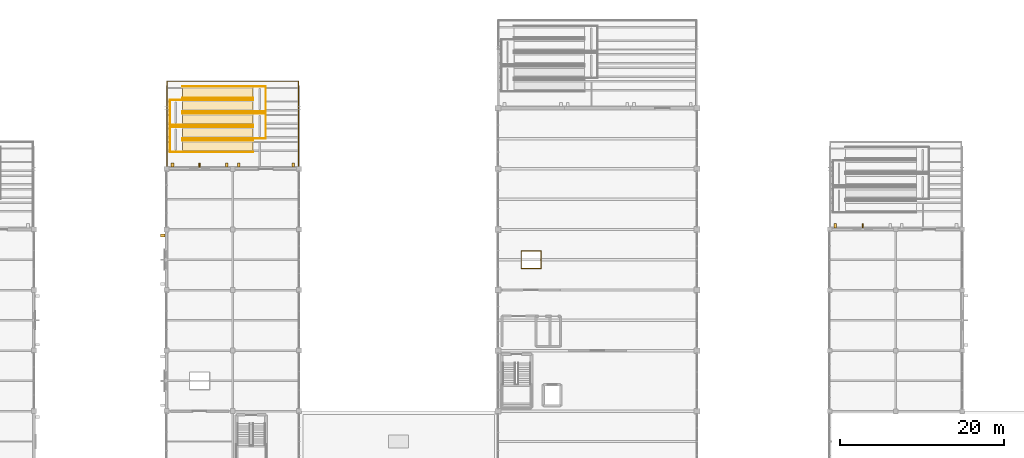
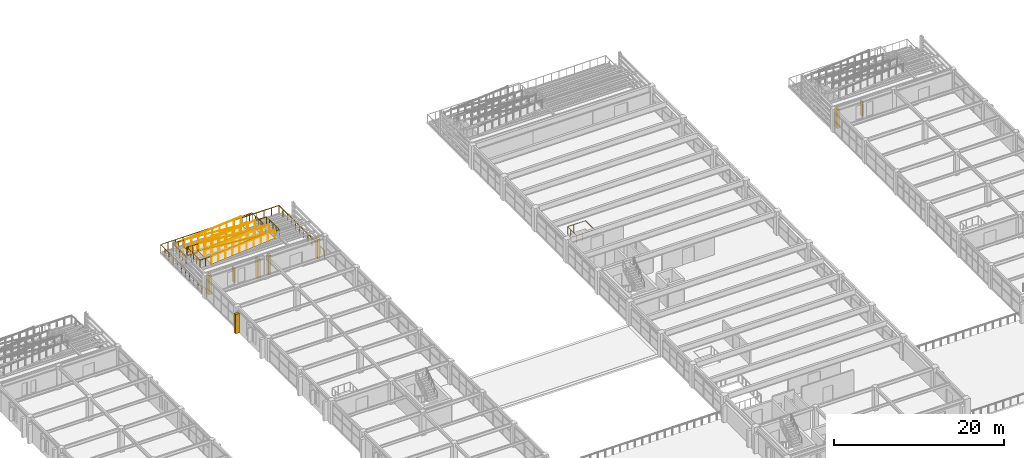
# One storey, part 117 of 121: 16 railings, 8 shading devices, 5 coverings.
"""IFC4 building model written with IfcOpenShell, lengths in metres."""

from ifc_helpers import new_model, si_unit, direction, frame, origin, origin_2d, place, context, subcontext, project, spatial, polyline, rectangle, circle, outline, extrude, material, layer, layer_set, type_object, element, save


model = new_model("IFC4")

# Units and contexts
model_context = context("Model", 3, precision=1e-05, world=origin(), true_north=direction((0.0, 1.0)))
body_context = subcontext(model_context, "Body", "Model", "MODEL_VIEW")
ifc_project = project(units=[si_unit("LENGTHUNIT", "METRE"), si_unit("AREAUNIT", "SQUARE_METRE"), si_unit("VOLUMEUNIT", "CUBIC_METRE"), si_unit("PLANEANGLEUNIT", "RADIAN"), si_unit("MASSUNIT", "GRAM", prefix="KILO")], contexts=[model_context])

# Site, building, storey
site_placement = place(None, origin())
site = spatial("IfcSite", under=ifc_project, at=site_placement, CompositionType="ELEMENT")
building_placement = place(site_placement, origin())
building = spatial("IfcBuilding", under=site, at=building_placement, Name="Cimatlan Art Gallery", CompositionType="ELEMENT")
storey_placement = place(building_placement, frame((0.0, 0.0, 10.199951171875)))
storey = spatial("IfcBuildingStorey", under=building, at=storey_placement, Name="L02", CompositionType="ELEMENT", Elevation=10.199951171875)

# Coverings
ifc_material_1 = material(Name="Queretaro cantera limestone ashlar hood-mould", Category="masonry")
ifc_layer = layer(ifc_material_1, 0.0419921875)
ifc_layer_set = layer_set([ifc_layer], Name="Queretaro cantera limestone ashlar hood-mould")
covering_type = type_object("IfcCoveringType", Name="COV-CLAD-CANTERA-42", PredefinedType="CLADDING", material=ifc_layer_set)
for number, where, z_axis, x_axis, name in (
    (1, (36.35009765625, 99.10009765625, 0.0), (-0.08304314939, 0.0, 0.996545952447), (0.996545952447, 0.0, 0.08304314939), "COV-RMP-TER-B2-FL1"),
    (2, (36.35009765625, 97.449951171875, 1.43994140625), (0.08304314939, 0.0, 0.996545952447), (0.996545952447, 0.0, -0.08304314939), "COV-RMP-TER-B2-FL2"),
):
    element("IfcCovering", number, at=place(storey_placement, frame(where, z_axis=z_axis, x_axis=x_axis)), inside=storey, type_object=covering_type, Name=name, PredefinedType="CLADDING", context=body_context, shape_type="SweptSolid", body=[
        extrude(outline(polyline([(0.0, 0.0), (8.669838612967244, 0.0), (8.669838612967244, 1.5000000000000004), (0.0, 1.5000000000000004), (0.0, 0.0)])), origin(), (0.0, 0.0, -1.0), 0.02490234375),
    ])
covering_placement = place(storey_placement, frame((36.35009765625, 95.800048828125, 1.43994140625), z_axis=(-0.083071114863, 0.0, 0.996543621662), x_axis=(0.996543621662, 0.0, 0.083071114863)))
element("IfcCovering", 3, at=covering_placement, inside=storey, type_object=covering_type, Name="COV-RMP-TER-B2-FL3", PredefinedType="CLADDING", context=body_context, shape_type="SweptSolid", body=[
    extrude(outline(polyline([(0.0, 0.0), (8.669858890587395, 0.0), (8.669858890587395, 1.4999999999999998), (0.0, 1.4999999999999998), (0.0, 0.0)])), origin(), (0.0, 0.0, -1.0), 0.02490234375),
])
for number, where, z_axis, x_axis, name in (
    (4, (36.35009765625, 94.14990234375, 2.880126953125), (0.08304314939, 0.0, 0.996545952447), (0.996545952447, 0.0, -0.08304314939), "COV-RMP-TER-B2-FL4"),
    (5, (36.35009765625, 92.5, 2.880126953125), (-0.08304314939, 0.0, 0.996545952447), (0.996545952447, 0.0, 0.08304314939), "COV-RMP-TER-B2-FL5"),
):
    element("IfcCovering", number, at=place(storey_placement, frame(where, z_axis=z_axis, x_axis=x_axis)), inside=storey, type_object=covering_type, Name=name, PredefinedType="CLADDING", context=body_context, shape_type="SweptSolid", body=[
        extrude(outline(polyline([(0.0, 0.0), (8.669838612967244, 0.0), (8.669838612967244, 1.5000000000000004), (0.0, 1.5000000000000004), (0.0, 0.0)])), origin(), (0.0, 0.0, -1.0), 0.02490234375),
    ])

# Railings
ifc_material_2 = material(Name="Anodised bronze and laminated glass balustrade", Category="glass")
railing_type_1 = type_object("IfcRailingType", Name="RL-BAL-EXT-1100", PredefinedType="BALUSTRADE", material=ifc_material_2)
for number, where, name in (
    (6, (36.35009765625, 99.14990234375, 0.0), "RMP-TER-B2-GR-F1S"),
    (7, (36.35009765625, 100.550048828125, 0.0), "RMP-TER-B2-GR-F1N"),
):
    element("IfcRailing", number, at=place(storey_placement, frame(where)), inside=storey, type_object=railing_type_1, Name=name, PredefinedType="BALUSTRADE", context=body_context, shape_type="SweptSolid", body=[
        extrude(circle(Radius=0.02587890625, at=origin_2d()), frame((0.0, 0.0, 1.09423828125), z_axis=(0.996545952447, 0.0, 0.08304314939), x_axis=(0.0, 1.0, 0.0)), (0.0, 0.0, 1.0), 8.669921875),
        extrude(circle(Radius=0.02099609375, at=origin_2d()), origin(), (0.0, 0.0, 1.0), 1.068115234375),
        extrude(circle(Radius=0.02099609375, at=origin_2d()), frame((0.9599609375, 0.0, 0.080078125)), (0.0, 0.0, 1.0), 1.068115234375),
        extrude(circle(Radius=0.02099609375, at=origin_2d()), frame((1.919921875, 0.0, 0.159912109375)), (0.0, 0.0, 1.0), 1.068115234375),
        extrude(circle(Radius=0.02099609375, at=origin_2d()), frame((2.8798828125, 0.0, 0.239990234375)), (0.0, 0.0, 1.0), 1.068115234375),
        extrude(circle(Radius=0.02099609375, at=origin_2d()), frame((3.83984375, 0.0, 0.320068359375)), (0.0, 0.0, 1.0), 1.068115234375),
        extrude(circle(Radius=0.02099609375, at=origin_2d()), frame((4.800048828125, 0.0, 0.39990234375)), (0.0, 0.0, 1.0), 1.068115234375),
        extrude(circle(Radius=0.02099609375, at=origin_2d()), frame((5.760009765625, 0.0, 0.47998046875)), (0.0, 0.0, 1.0), 1.068115234375),
        extrude(circle(Radius=0.02099609375, at=origin_2d()), frame((6.719970703125, 0.0, 0.56005859375)), (0.0, 0.0, 1.0), 1.068115234375),
        extrude(circle(Radius=0.02099609375, at=origin_2d()), frame((7.679931640625, 0.0, 0.639892578125)), (0.0, 0.0, 1.0), 1.068115234375),
        extrude(circle(Radius=0.02099609375, at=origin_2d()), frame((8.639892578125, 0.0, 0.719970703125)), (0.0, 0.0, 1.0), 1.068115234375),
    ])
railing_1_placement = place(storey_placement, frame((45.030029296875, 100.550048828125, 0.719970703125)))
element("IfcRailing", 8, at=railing_1_placement, inside=storey, type_object=railing_type_1, Name="RMP-TER-B2-GR-L1", PredefinedType="BALUSTRADE", context=body_context, shape_type="SweptSolid", body=[
    extrude(circle(Radius=0.02587890625, at=origin_2d()), frame((0.0, 0.0, 1.09423828125), z_axis=(1.0, 0.0, 0.0), x_axis=(0.0, 1.0, 0.0)), (0.0, 0.0, 1.0), 1.5),
    extrude(circle(Radius=0.02587890625, at=origin_2d()), frame((1.5, 0.0, 1.09423828125), z_axis=(0.0, -1.0, 0.0), x_axis=(1.0, 0.0, 0.0)), (0.0, 0.0, 1.0), 3.050048828125),
    extrude(circle(Radius=0.02587890625, at=origin_2d()), frame((1.5, -3.050048828125, 1.09423828125), z_axis=(-1.0, 0.0, 0.0), x_axis=(0.0, -1.0, 0.0)), (0.0, 0.0, 1.0), 1.5),
    extrude(circle(Radius=0.02099609375, at=origin_2d()), origin(), (0.0, 0.0, 1.0), 1.068115234375),
    extrude(circle(Radius=0.02099609375, at=origin_2d()), frame((0.75, 0.0, 0.0)), (0.0, 0.0, 1.0), 1.068115234375),
    extrude(circle(Radius=0.02099609375, at=origin_2d()), frame((1.5, 0.0, 0.0)), (0.0, 0.0, 1.0), 1.068115234375),
    extrude(circle(Radius=0.02099609375, at=origin_2d()), frame((1.5, -0.762451171875, 0.0)), (0.0, 0.0, 1.0), 1.068115234375),
    extrude(circle(Radius=0.02099609375, at=origin_2d()), frame((1.5, -1.52490234375, 0.0)), (0.0, 0.0, 1.0), 1.068115234375),
    extrude(circle(Radius=0.02099609375, at=origin_2d()), frame((1.5, -2.28759765625, 0.0)), (0.0, 0.0, 1.0), 1.068115234375),
    extrude(circle(Radius=0.02099609375, at=origin_2d()), frame((1.5, -3.050048828125, 0.0)), (0.0, 0.0, 1.0), 1.068115234375),
    extrude(circle(Radius=0.02099609375, at=origin_2d()), frame((0.75, -3.050048828125, 0.0)), (0.0, 0.0, 1.0), 1.068115234375),
    extrude(circle(Radius=0.02099609375, at=origin_2d()), frame((0.0, -3.050048828125, 0.0)), (0.0, 0.0, 1.0), 1.068115234375),
])
for number, where, name in (
    (9, (44.989990234375, 97.5, 0.719970703125), "RMP-TER-B2-GR-F2S"),
    (10, (44.989990234375, 98.89990234375, 0.719970703125), "RMP-TER-B2-GR-F2N"),
):
    element("IfcRailing", number, at=place(storey_placement, frame(where)), inside=storey, type_object=railing_type_1, Name=name, PredefinedType="BALUSTRADE", context=body_context, shape_type="SweptSolid", body=[
        extrude(circle(Radius=0.02587890625, at=origin_2d()), frame((0.0, 0.0, 1.09423828125), z_axis=(-0.996545952447, 0.0, 0.08304314939), x_axis=(0.0, -1.0, 0.0)), (0.0, 0.0, 1.0), 8.669921875),
        extrude(circle(Radius=0.02099609375, at=origin_2d()), origin(), (0.0, 0.0, 1.0), 1.068115234375),
        extrude(circle(Radius=0.02099609375, at=origin_2d()), frame((-0.9599609375, 0.0, 0.080078125)), (0.0, 0.0, 1.0), 1.068115234375),
        extrude(circle(Radius=0.02099609375, at=origin_2d()), frame((-1.919921875, 0.0, 0.159912109375)), (0.0, 0.0, 1.0), 1.068115234375),
        extrude(circle(Radius=0.02099609375, at=origin_2d()), frame((-2.8798828125, 0.0, 0.239990234375)), (0.0, 0.0, 1.0), 1.068115234375),
        extrude(circle(Radius=0.02099609375, at=origin_2d()), frame((-3.83984375, 0.0, 0.320068359375)), (0.0, 0.0, 1.0), 1.068115234375),
        extrude(circle(Radius=0.02099609375, at=origin_2d()), frame((-4.800048828125, 0.0, 0.39990234375)), (0.0, 0.0, 1.0), 1.068115234375),
        extrude(circle(Radius=0.02099609375, at=origin_2d()), frame((-5.760009765625, 0.0, 0.47998046875)), (0.0, 0.0, 1.0), 1.068115234375),
        extrude(circle(Radius=0.02099609375, at=origin_2d()), frame((-6.719970703125, 0.0, 0.56005859375)), (0.0, 0.0, 1.0), 1.068115234375),
        extrude(circle(Radius=0.02099609375, at=origin_2d()), frame((-7.679931640625, 0.0, 0.639892578125)), (0.0, 0.0, 1.0), 1.068115234375),
        extrude(circle(Radius=0.02099609375, at=origin_2d()), frame((-8.639892578125, 0.0, 0.719970703125)), (0.0, 0.0, 1.0), 1.068115234375),
    ])
railing_2_placement = place(storey_placement, frame((36.31005859375, 98.89990234375, 1.43994140625)))
element("IfcRailing", 11, at=railing_2_placement, inside=storey, type_object=railing_type_1, Name="RMP-TER-B2-GR-L2", PredefinedType="BALUSTRADE", context=body_context, shape_type="SweptSolid", body=[
    extrude(circle(Radius=0.02587890625, at=origin_2d()), frame((0.0, 0.0, 1.09423828125), z_axis=(-1.0, 0.0, 0.0), x_axis=(0.0, -1.0, 0.0)), (0.0, 0.0, 1.0), 1.5),
    extrude(circle(Radius=0.02587890625, at=origin_2d()), frame((-1.5, 0.0, 1.09423828125), z_axis=(0.0, -1.0, 0.0), x_axis=(1.0, 0.0, 0.0)), (0.0, 0.0, 1.0), 3.0498046875),
    extrude(circle(Radius=0.02587890625, at=origin_2d()), frame((-1.5, -3.0498046875, 1.09423828125), z_axis=(1.0, 0.0, 0.0), x_axis=(0.0, 1.0, 0.0)), (0.0, 0.0, 1.0), 1.5),
    extrude(circle(Radius=0.02099609375, at=origin_2d()), origin(), (0.0, 0.0, 1.0), 1.068115234375),
    extrude(circle(Radius=0.02099609375, at=origin_2d()), frame((-0.75, 0.0, 0.0)), (0.0, 0.0, 1.0), 1.068115234375),
    extrude(circle(Radius=0.02099609375, at=origin_2d()), frame((-1.5, 0.0, 0.0)), (0.0, 0.0, 1.0), 1.068115234375),
    extrude(circle(Radius=0.02099609375, at=origin_2d()), frame((-1.5, -0.762451171875, 0.0)), (0.0, 0.0, 1.0), 1.068115234375),
    extrude(circle(Radius=0.02099609375, at=origin_2d()), frame((-1.5, -1.52490234375, 0.0)), (0.0, 0.0, 1.0), 1.068115234375),
    extrude(circle(Radius=0.02099609375, at=origin_2d()), frame((-1.5, -2.287353515625, 0.0)), (0.0, 0.0, 1.0), 1.068115234375),
    extrude(circle(Radius=0.02099609375, at=origin_2d()), frame((-1.5, -3.0498046875, 0.0)), (0.0, 0.0, 1.0), 1.068115234375),
    extrude(circle(Radius=0.02099609375, at=origin_2d()), frame((-0.75, -3.0498046875, 0.0)), (0.0, 0.0, 1.0), 1.068115234375),
    extrude(circle(Radius=0.02099609375, at=origin_2d()), frame((0.0, -3.0498046875, 0.0)), (0.0, 0.0, 1.0), 1.068115234375),
])
for number, where, name in (
    (12, (36.35009765625, 95.85009765625, 1.43994140625), "RMP-TER-B2-GR-F3S"),
    (13, (36.35009765625, 97.25, 1.43994140625), "RMP-TER-B2-GR-F3N"),
):
    element("IfcRailing", number, at=place(storey_placement, frame(where)), inside=storey, type_object=railing_type_1, Name=name, PredefinedType="BALUSTRADE", context=body_context, shape_type="SweptSolid", body=[
        extrude(circle(Radius=0.02587890625, at=origin_2d()), frame((0.0, 0.0, 1.09423828125), z_axis=(0.996543621662, 0.0, 0.083071114863), x_axis=(0.0, 1.0, 0.0)), (0.0, 0.0, 1.0), 8.669921875),
        extrude(circle(Radius=0.02099609375, at=origin_2d()), origin(), (0.0, 0.0, 1.0), 1.068115234375),
        extrude(circle(Radius=0.02099609375, at=origin_2d()), frame((0.9599609375, 0.0, 0.080078125)), (0.0, 0.0, 1.0), 1.068115234375),
        extrude(circle(Radius=0.02099609375, at=origin_2d()), frame((1.919921875, 0.0, 0.16015625)), (0.0, 0.0, 1.0), 1.068115234375),
        extrude(circle(Radius=0.02099609375, at=origin_2d()), frame((2.8798828125, 0.0, 0.239990234375)), (0.0, 0.0, 1.0), 1.068115234375),
        extrude(circle(Radius=0.02099609375, at=origin_2d()), frame((3.83984375, 0.0, 0.320068359375)), (0.0, 0.0, 1.0), 1.068115234375),
        extrude(circle(Radius=0.02099609375, at=origin_2d()), frame((4.800048828125, 0.0, 0.400146484375)), (0.0, 0.0, 1.0), 1.068115234375),
        extrude(circle(Radius=0.02099609375, at=origin_2d()), frame((5.760009765625, 0.0, 0.480224609375)), (0.0, 0.0, 1.0), 1.068115234375),
        extrude(circle(Radius=0.02099609375, at=origin_2d()), frame((6.719970703125, 0.0, 0.56005859375)), (0.0, 0.0, 1.0), 1.068115234375),
        extrude(circle(Radius=0.02099609375, at=origin_2d()), frame((7.679931640625, 0.0, 0.64013671875)), (0.0, 0.0, 1.0), 1.068115234375),
        extrude(circle(Radius=0.02099609375, at=origin_2d()), frame((8.639892578125, 0.0, 0.72021484375)), (0.0, 0.0, 1.0), 1.068115234375),
    ])
railing_3_placement = place(storey_placement, frame((45.030029296875, 97.25, 2.16015625)))
element("IfcRailing", 14, at=railing_3_placement, inside=storey, type_object=railing_type_1, Name="RMP-TER-B2-GR-L3", PredefinedType="BALUSTRADE", context=body_context, shape_type="SweptSolid", body=[
    extrude(circle(Radius=0.02587890625, at=origin_2d()), frame((0.0, 0.0, 1.09423828125), z_axis=(1.0, 0.0, 0.0), x_axis=(0.0, 1.0, 0.0)), (0.0, 0.0, 1.0), 1.5),
    extrude(circle(Radius=0.02587890625, at=origin_2d()), frame((1.5, 0.0, 1.09423828125), z_axis=(0.0, -1.0, 0.0), x_axis=(1.0, 0.0, 0.0)), (0.0, 0.0, 1.0), 3.050048828125),
    extrude(circle(Radius=0.02587890625, at=origin_2d()), frame((1.5, -3.050048828125, 1.09423828125), z_axis=(-1.0, 0.0, 0.0), x_axis=(0.0, -1.0, 0.0)), (0.0, 0.0, 1.0), 1.5),
    extrude(circle(Radius=0.02099609375, at=origin_2d()), origin(), (0.0, 0.0, 1.0), 1.068115234375),
    extrude(circle(Radius=0.02099609375, at=origin_2d()), frame((0.75, 0.0, 0.0)), (0.0, 0.0, 1.0), 1.068115234375),
    extrude(circle(Radius=0.02099609375, at=origin_2d()), frame((1.5, 0.0, 0.0)), (0.0, 0.0, 1.0), 1.068115234375),
    extrude(circle(Radius=0.02099609375, at=origin_2d()), frame((1.5, -0.762451171875, 0.0)), (0.0, 0.0, 1.0), 1.068115234375),
    extrude(circle(Radius=0.02099609375, at=origin_2d()), frame((1.5, -1.52490234375, 0.0)), (0.0, 0.0, 1.0), 1.068115234375),
    extrude(circle(Radius=0.02099609375, at=origin_2d()), frame((1.5, -2.28759765625, 0.0)), (0.0, 0.0, 1.0), 1.068115234375),
    extrude(circle(Radius=0.02099609375, at=origin_2d()), frame((1.5, -3.050048828125, 0.0)), (0.0, 0.0, 1.0), 1.068115234375),
    extrude(circle(Radius=0.02099609375, at=origin_2d()), frame((0.75, -3.050048828125, 0.0)), (0.0, 0.0, 1.0), 1.068115234375),
    extrude(circle(Radius=0.02099609375, at=origin_2d()), frame((0.0, -3.050048828125, 0.0)), (0.0, 0.0, 1.0), 1.068115234375),
])
for number, where, name in (
    (15, (44.989990234375, 94.199951171875, 2.16015625), "RMP-TER-B2-GR-F4S"),
    (16, (44.989990234375, 95.60009765625, 2.16015625), "RMP-TER-B2-GR-F4N"),
):
    element("IfcRailing", number, at=place(storey_placement, frame(where)), inside=storey, type_object=railing_type_1, Name=name, PredefinedType="BALUSTRADE", context=body_context, shape_type="SweptSolid", body=[
        extrude(circle(Radius=0.02587890625, at=origin_2d()), frame((0.0, 0.0, 1.09423828125), z_axis=(-0.996545952447, 0.0, 0.08304314939), x_axis=(0.0, -1.0, 0.0)), (0.0, 0.0, 1.0), 8.669921875),
        extrude(circle(Radius=0.02099609375, at=origin_2d()), origin(), (0.0, 0.0, 1.0), 1.068115234375),
        extrude(circle(Radius=0.02099609375, at=origin_2d()), frame((-0.9599609375, 0.0, 0.080078125)), (0.0, 0.0, 1.0), 1.068115234375),
        extrude(circle(Radius=0.02099609375, at=origin_2d()), frame((-1.919921875, 0.0, 0.159912109375)), (0.0, 0.0, 1.0), 1.068115234375),
        extrude(circle(Radius=0.02099609375, at=origin_2d()), frame((-2.8798828125, 0.0, 0.239990234375)), (0.0, 0.0, 1.0), 1.068115234375),
        extrude(circle(Radius=0.02099609375, at=origin_2d()), frame((-3.83984375, 0.0, 0.320068359375)), (0.0, 0.0, 1.0), 1.068115234375),
        extrude(circle(Radius=0.02099609375, at=origin_2d()), frame((-4.800048828125, 0.0, 0.39990234375)), (0.0, 0.0, 1.0), 1.068115234375),
        extrude(circle(Radius=0.02099609375, at=origin_2d()), frame((-5.760009765625, 0.0, 0.47998046875)), (0.0, 0.0, 1.0), 1.068115234375),
        extrude(circle(Radius=0.02099609375, at=origin_2d()), frame((-6.719970703125, 0.0, 0.56005859375)), (0.0, 0.0, 1.0), 1.068115234375),
        extrude(circle(Radius=0.02099609375, at=origin_2d()), frame((-7.679931640625, 0.0, 0.639892578125)), (0.0, 0.0, 1.0), 1.068115234375),
        extrude(circle(Radius=0.02099609375, at=origin_2d()), frame((-8.639892578125, 0.0, 0.719970703125)), (0.0, 0.0, 1.0), 1.068115234375),
    ])
railing_4_placement = place(storey_placement, frame((36.31005859375, 95.60009765625, 2.880126953125)))
element("IfcRailing", 17, at=railing_4_placement, inside=storey, type_object=railing_type_1, Name="RMP-TER-B2-GR-L4", PredefinedType="BALUSTRADE", context=body_context, shape_type="SweptSolid", body=[
    extrude(circle(Radius=0.02587890625, at=origin_2d()), frame((0.0, 0.0, 1.09423828125), z_axis=(-1.0, 0.0, 0.0), x_axis=(0.0, -1.0, 0.0)), (0.0, 0.0, 1.0), 1.5),
    extrude(circle(Radius=0.02587890625, at=origin_2d()), frame((-1.5, 0.0, 1.09423828125), z_axis=(0.0, -1.0, 0.0), x_axis=(1.0, 0.0, 0.0)), (0.0, 0.0, 1.0), 3.050048828125),
    extrude(circle(Radius=0.02587890625, at=origin_2d()), frame((-1.5, -3.050048828125, 1.09423828125), z_axis=(1.0, 0.0, 0.0), x_axis=(0.0, 1.0, 0.0)), (0.0, 0.0, 1.0), 1.5),
    extrude(circle(Radius=0.02099609375, at=origin_2d()), origin(), (0.0, 0.0, 1.0), 1.068115234375),
    extrude(circle(Radius=0.02099609375, at=origin_2d()), frame((-0.75, 0.0, 0.0)), (0.0, 0.0, 1.0), 1.068115234375),
    extrude(circle(Radius=0.02099609375, at=origin_2d()), frame((-1.5, 0.0, 0.0)), (0.0, 0.0, 1.0), 1.068115234375),
    extrude(circle(Radius=0.02099609375, at=origin_2d()), frame((-1.5, -0.762451171875, 0.0)), (0.0, 0.0, 1.0), 1.068115234375),
    extrude(circle(Radius=0.02099609375, at=origin_2d()), frame((-1.5, -1.52490234375, 0.0)), (0.0, 0.0, 1.0), 1.068115234375),
    extrude(circle(Radius=0.02099609375, at=origin_2d()), frame((-1.5, -2.28759765625, 0.0)), (0.0, 0.0, 1.0), 1.068115234375),
    extrude(circle(Radius=0.02099609375, at=origin_2d()), frame((-1.5, -3.050048828125, 0.0)), (0.0, 0.0, 1.0), 1.068115234375),
    extrude(circle(Radius=0.02099609375, at=origin_2d()), frame((-0.75, -3.050048828125, 0.0)), (0.0, 0.0, 1.0), 1.068115234375),
    extrude(circle(Radius=0.02099609375, at=origin_2d()), frame((0.0, -3.050048828125, 0.0)), (0.0, 0.0, 1.0), 1.068115234375),
])
for number, where, name in (
    (18, (36.35009765625, 92.550048828125, 2.880126953125), "RMP-TER-B2-GR-F5S"),
    (19, (36.35009765625, 93.949951171875, 2.880126953125), "RMP-TER-B2-GR-F5N"),
):
    element("IfcRailing", number, at=place(storey_placement, frame(where)), inside=storey, type_object=railing_type_1, Name=name, PredefinedType="BALUSTRADE", context=body_context, shape_type="SweptSolid", body=[
        extrude(circle(Radius=0.02587890625, at=origin_2d()), frame((0.0, 0.0, 1.09423828125), z_axis=(0.996545952447, 0.0, 0.08304314939), x_axis=(0.0, 1.0, 0.0)), (0.0, 0.0, 1.0), 8.669921875),
        extrude(circle(Radius=0.02099609375, at=origin_2d()), origin(), (0.0, 0.0, 1.0), 1.068115234375),
        extrude(circle(Radius=0.02099609375, at=origin_2d()), frame((0.9599609375, 0.0, 0.080078125)), (0.0, 0.0, 1.0), 1.068115234375),
        extrude(circle(Radius=0.02099609375, at=origin_2d()), frame((1.919921875, 0.0, 0.159912109375)), (0.0, 0.0, 1.0), 1.068115234375),
        extrude(circle(Radius=0.02099609375, at=origin_2d()), frame((2.8798828125, 0.0, 0.239990234375)), (0.0, 0.0, 1.0), 1.068115234375),
        extrude(circle(Radius=0.02099609375, at=origin_2d()), frame((3.83984375, 0.0, 0.320068359375)), (0.0, 0.0, 1.0), 1.068115234375),
        extrude(circle(Radius=0.02099609375, at=origin_2d()), frame((4.800048828125, 0.0, 0.39990234375)), (0.0, 0.0, 1.0), 1.068115234375),
        extrude(circle(Radius=0.02099609375, at=origin_2d()), frame((5.760009765625, 0.0, 0.47998046875)), (0.0, 0.0, 1.0), 1.068115234375),
        extrude(circle(Radius=0.02099609375, at=origin_2d()), frame((6.719970703125, 0.0, 0.56005859375)), (0.0, 0.0, 1.0), 1.068115234375),
        extrude(circle(Radius=0.02099609375, at=origin_2d()), frame((7.679931640625, 0.0, 0.639892578125)), (0.0, 0.0, 1.0), 1.068115234375),
        extrude(circle(Radius=0.02099609375, at=origin_2d()), frame((8.639892578125, 0.0, 0.719970703125)), (0.0, 0.0, 1.0), 1.068115234375),
    ])
railing_5_placement = place(storey_placement, frame((34.47998046875, 90.52001953125, 0.0)))
element("IfcRailing", 20, at=railing_5_placement, inside=storey, type_object=railing_type_1, Name="GR-TER-02", PredefinedType="BALUSTRADE", context=body_context, shape_type="SweptSolid", body=[
    extrude(circle(Radius=0.02587890625, at=origin_2d()), frame((0.0, 0.0, 1.09423828125), z_axis=(0.0, 1.0, 0.0), x_axis=(-1.0, 0.0, 0.0)), (0.0, 0.0, 1.0), 10.68212890625),
    extrude(circle(Radius=0.02587890625, at=origin_2d()), frame((0.0, 10.68212890625, 1.09423828125), z_axis=(1.0, 0.0, 0.0), x_axis=(0.0, 1.0, 0.0)), (0.0, 0.0, 1.0), 16.0400390625),
    extrude(circle(Radius=0.02587890625, at=origin_2d()), frame((16.0400390625, 10.68212890625, 1.09423828125), z_axis=(0.0, -1.0, 0.0), x_axis=(1.0, 0.0, 0.0)), (0.0, 0.0, 1.0), 10.68212890625),
    extrude(circle(Radius=0.02099609375, at=origin_2d()), origin(), (0.0, 0.0, 1.0), 1.068115234375),
    extrude(circle(Radius=0.02099609375, at=origin_2d()), frame((0.0, 0.97119140625, 0.0)), (0.0, 0.0, 1.0), 1.068115234375),
    extrude(circle(Radius=0.02099609375, at=origin_2d()), frame((0.0, 1.942138671875, 0.0)), (0.0, 0.0, 1.0), 1.068115234375),
    extrude(circle(Radius=0.02099609375, at=origin_2d()), frame((0.0, 2.913330078125, 0.0)), (0.0, 0.0, 1.0), 1.068115234375),
    extrude(circle(Radius=0.02099609375, at=origin_2d()), frame((0.0, 3.884521484375, 0.0)), (0.0, 0.0, 1.0), 1.068115234375),
    extrude(circle(Radius=0.02099609375, at=origin_2d()), frame((0.0, 4.85546875, 0.0)), (0.0, 0.0, 1.0), 1.068115234375),
    extrude(circle(Radius=0.02099609375, at=origin_2d()), frame((0.0, 5.82666015625, 0.0)), (0.0, 0.0, 1.0), 1.068115234375),
    extrude(circle(Radius=0.02099609375, at=origin_2d()), frame((0.0, 6.797607421875, 0.0)), (0.0, 0.0, 1.0), 1.068115234375),
    extrude(circle(Radius=0.02099609375, at=origin_2d()), frame((0.0, 7.768798828125, 0.0)), (0.0, 0.0, 1.0), 1.068115234375),
    extrude(circle(Radius=0.02099609375, at=origin_2d()), frame((0.0, 8.739990234375, 0.0)), (0.0, 0.0, 1.0), 1.068115234375),
    extrude(circle(Radius=0.02099609375, at=origin_2d()), frame((0.0, 9.7109375, 0.0)), (0.0, 0.0, 1.0), 1.068115234375),
    extrude(circle(Radius=0.02099609375, at=origin_2d()), frame((0.0, 10.68212890625, 0.0)), (0.0, 0.0, 1.0), 1.068115234375),
    extrude(circle(Radius=0.02099609375, at=origin_2d()), frame((1.00244140625, 10.68212890625, 0.0)), (0.0, 0.0, 1.0), 1.068115234375),
    extrude(circle(Radius=0.02099609375, at=origin_2d()), frame((2.0048828125, 10.68212890625, 0.0)), (0.0, 0.0, 1.0), 1.068115234375),
    extrude(circle(Radius=0.02099609375, at=origin_2d()), frame((3.007568359375, 10.68212890625, 0.0)), (0.0, 0.0, 1.0), 1.068115234375),
    extrude(circle(Radius=0.02099609375, at=origin_2d()), frame((4.010009765625, 10.68212890625, 0.0)), (0.0, 0.0, 1.0), 1.068115234375),
    extrude(circle(Radius=0.02099609375, at=origin_2d()), frame((5.012451171875, 10.68212890625, 0.0)), (0.0, 0.0, 1.0), 1.068115234375),
    extrude(circle(Radius=0.02099609375, at=origin_2d()), frame((6.01513671875, 10.68212890625, 0.0)), (0.0, 0.0, 1.0), 1.068115234375),
    extrude(circle(Radius=0.02099609375, at=origin_2d()), frame((7.017578125, 10.68212890625, 0.0)), (0.0, 0.0, 1.0), 1.068115234375),
    extrude(circle(Radius=0.02099609375, at=origin_2d()), frame((8.02001953125, 10.68212890625, 0.0)), (0.0, 0.0, 1.0), 1.068115234375),
    extrude(circle(Radius=0.02099609375, at=origin_2d()), frame((9.0224609375, 10.68212890625, 0.0)), (0.0, 0.0, 1.0), 1.068115234375),
    extrude(circle(Radius=0.02099609375, at=origin_2d()), frame((10.02490234375, 10.68212890625, 0.0)), (0.0, 0.0, 1.0), 1.068115234375),
    extrude(circle(Radius=0.02099609375, at=origin_2d()), frame((11.027587890625, 10.68212890625, 0.0)), (0.0, 0.0, 1.0), 1.068115234375),
    extrude(circle(Radius=0.02099609375, at=origin_2d()), frame((12.030029296875, 10.68212890625, 0.0)), (0.0, 0.0, 1.0), 1.068115234375),
    extrude(circle(Radius=0.02099609375, at=origin_2d()), frame((13.032470703125, 10.68212890625, 0.0)), (0.0, 0.0, 1.0), 1.068115234375),
    extrude(circle(Radius=0.02099609375, at=origin_2d()), frame((14.03515625, 10.68212890625, 0.0)), (0.0, 0.0, 1.0), 1.068115234375),
    extrude(circle(Radius=0.02099609375, at=origin_2d()), frame((15.03759765625, 10.68212890625, 0.0)), (0.0, 0.0, 1.0), 1.068115234375),
    extrude(circle(Radius=0.02099609375, at=origin_2d()), frame((16.0400390625, 10.68212890625, 0.0)), (0.0, 0.0, 1.0), 1.068115234375),
    extrude(circle(Radius=0.02099609375, at=origin_2d()), frame((16.0400390625, 9.7109375, 0.0)), (0.0, 0.0, 1.0), 1.068115234375),
    extrude(circle(Radius=0.02099609375, at=origin_2d()), frame((16.0400390625, 8.739990234375, 0.0)), (0.0, 0.0, 1.0), 1.068115234375),
    extrude(circle(Radius=0.02099609375, at=origin_2d()), frame((16.0400390625, 7.768798828125, 0.0)), (0.0, 0.0, 1.0), 1.068115234375),
    extrude(circle(Radius=0.02099609375, at=origin_2d()), frame((16.0400390625, 6.797607421875, 0.0)), (0.0, 0.0, 1.0), 1.068115234375),
    extrude(circle(Radius=0.02099609375, at=origin_2d()), frame((16.0400390625, 5.82666015625, 0.0)), (0.0, 0.0, 1.0), 1.068115234375),
    extrude(circle(Radius=0.02099609375, at=origin_2d()), frame((16.0400390625, 4.85546875, 0.0)), (0.0, 0.0, 1.0), 1.068115234375),
    extrude(circle(Radius=0.02099609375, at=origin_2d()), frame((16.0400390625, 3.884521484375, 0.0)), (0.0, 0.0, 1.0), 1.068115234375),
    extrude(circle(Radius=0.02099609375, at=origin_2d()), frame((16.0400390625, 2.913330078125, 0.0)), (0.0, 0.0, 1.0), 1.068115234375),
    extrude(circle(Radius=0.02099609375, at=origin_2d()), frame((16.0400390625, 1.942138671875, 0.0)), (0.0, 0.0, 1.0), 1.068115234375),
    extrude(circle(Radius=0.02099609375, at=origin_2d()), frame((16.0400390625, 0.97119140625, 0.0)), (0.0, 0.0, 1.0), 1.068115234375),
    extrude(circle(Radius=0.02099609375, at=origin_2d()), frame((16.0400390625, 0.0, 0.0)), (0.0, 0.0, 1.0), 1.068115234375),
])
ifc_material_3 = material(Name="Painted steel and bronze interior balustrade", Category="steel")
railing_type_2 = type_object("IfcRailingType", Name="RL-BAL-INT-1120", PredefinedType="BALUSTRADE", material=ifc_material_3)
railing_6_placement = place(storey_placement, frame((77.739990234375, 78.340087890625, 0.0)))
element("IfcRailing", 21, at=railing_6_placement, inside=storey, type_object=railing_type_2, Name="GR-OCU-L02-B3N", PredefinedType="BALUSTRADE", context=body_context, shape_type="SweptSolid", body=[
    extrude(circle(Radius=0.02392578125, at=origin_2d()), frame((0.0, 0.0, 1.09619140625), z_axis=(1.0, 0.0, 0.0), x_axis=(0.0, 1.0, 0.0)), (0.0, 0.0, 1.0), 2.419921875),
    extrude(circle(Radius=0.02392578125, at=origin_2d()), frame((2.419921875, 0.0, 1.09619140625), z_axis=(0.0, 1.0, 0.0), x_axis=(-1.0, 0.0, 0.0)), (0.0, 0.0, 1.0), 2.119873046875),
    extrude(circle(Radius=0.02392578125, at=origin_2d()), frame((2.419921875, 2.119873046875, 1.09619140625), z_axis=(-1.0, 0.0, 0.0), x_axis=(0.0, -1.0, 0.0)), (0.0, 0.0, 1.0), 2.419921875),
    extrude(circle(Radius=0.02392578125, at=origin_2d()), frame((0.0, 2.119873046875, 1.09619140625), z_axis=(0.0, -1.0, 0.0), x_axis=(1.0, 0.0, 0.0)), (0.0, 0.0, 1.0), 2.080078125),
    extrude(circle(Radius=0.02001953125, at=origin_2d()), origin(), (0.0, 0.0, 1.0), 1.072021484375),
    extrude(circle(Radius=0.02001953125, at=origin_2d()), frame((0.806640625, 0.0, 0.0)), (0.0, 0.0, 1.0), 1.072021484375),
    extrude(circle(Radius=0.02001953125, at=origin_2d()), frame((1.61328125, 0.0, 0.0)), (0.0, 0.0, 1.0), 1.072021484375),
    extrude(circle(Radius=0.02001953125, at=origin_2d()), frame((2.419921875, 0.0, 0.0)), (0.0, 0.0, 1.0), 1.072021484375),
    extrude(circle(Radius=0.02001953125, at=origin_2d()), frame((2.419921875, 0.70654296875, 0.0)), (0.0, 0.0, 1.0), 1.072021484375),
    extrude(circle(Radius=0.02001953125, at=origin_2d()), frame((2.419921875, 1.413330078125, 0.0)), (0.0, 0.0, 1.0), 1.072021484375),
    extrude(circle(Radius=0.02001953125, at=origin_2d()), frame((2.419921875, 2.119873046875, 0.0)), (0.0, 0.0, 1.0), 1.072021484375),
    extrude(circle(Radius=0.02001953125, at=origin_2d()), frame((1.61328125, 2.119873046875, 0.0)), (0.0, 0.0, 1.0), 1.072021484375),
    extrude(circle(Radius=0.02001953125, at=origin_2d()), frame((0.806640625, 2.119873046875, 0.0)), (0.0, 0.0, 1.0), 1.072021484375),
    extrude(circle(Radius=0.02001953125, at=origin_2d()), frame((0.0, 2.119873046875, 0.0)), (0.0, 0.0, 1.0), 1.072021484375),
    extrude(circle(Radius=0.02001953125, at=origin_2d()), frame((0.0, 1.426513671875, 0.0)), (0.0, 0.0, 1.0), 1.072021484375),
    extrude(circle(Radius=0.02001953125, at=origin_2d()), frame((0.0, 0.733154296875, 0.0)), (0.0, 0.0, 1.0), 1.072021484375),
    extrude(circle(Radius=0.02001953125, at=origin_2d()), frame((0.0, 0.039794921875, 0.0)), (0.0, 0.0, 1.0), 1.072021484375),
])

# Shading devices
ifc_material_4 = material(Name="Queretaro cantera limestone buttress pilaster", Category="masonry")
shading_device_type_1 = type_object("IfcShadingDeviceType", Name="SHD-BUT-520", PredefinedType="USERDEFINED", material=ifc_material_4)
for number, where, z_axis, x_axis, name in (
    (22, (33.94189453125, 82.3759765625, 0.06005859375), (0.0, 0.0, 1.0), (0.0, 1.0, 0.0), "BUT-0260"),
    (23, (35.1240234375, 90.9580078125, 0.06005859375), (0.0, 0.0, 1.0), (1.0, 0.0, 0.0), "BUT-0261"),
    (24, (41.77587890625, 90.9580078125, 0.06005859375), (0.0, 0.0, 1.0), (1.0, 0.0, 0.0), "BUT-0262"),
    (25, (43.22412109375, 90.9580078125, 0.06005859375), (0.0, 0.0, 1.0), (1.0, 0.0, 0.0), "BUT-0269"),
    (26, (49.8759765625, 90.9580078125, 0.06005859375), (0.0, 0.0, 1.0), (1.0, 0.0, 0.0), "BUT-0270"),
    (27, (116.09912109375, 83.55810546875, 0.06005859375), (0.0, 0.0, 1.0), (1.0, 0.0, 0.0), "BUT-0297"),
):
    element("IfcShadingDevice", number, at=place(storey_placement, frame(where, z_axis=z_axis, x_axis=x_axis)), inside=storey, type_object=shading_device_type_1, Name=name, ObjectType="FIN", PredefinedType="USERDEFINED", context=body_context, shape_type="SweptSolid", body=[
        extrude(rectangle(XDim=0.340087890625, YDim=0.52001953125, at=origin_2d()), origin(), (0.0, 0.0, 1.0), 2.778076171875),
    ])
ifc_material_5 = material(Name="Queretaro cantera limestone lancet mullion fin", Category="masonry")
shading_device_type_2 = type_object("IfcShadingDeviceType", Name="SHD-FIN-480", PredefinedType="USERDEFINED", material=ifc_material_5)
for number, where, z_axis, x_axis, name in (
    (28, (38.449951171875, 90.93798828125, 0.60009765625), (0.0, 0.0, 1.0), (1.0, 0.0, 0.0), "FIN-074"),
    (29, (119.449951171875, 83.5380859375, 0.60009765625), (0.0, 0.0, 1.0), (1.0, 0.0, 0.0), "FIN-084"),
):
    element("IfcShadingDevice", number, at=place(storey_placement, frame(where, z_axis=z_axis, x_axis=x_axis)), inside=storey, type_object=shading_device_type_2, Name=name, ObjectType="FIN", PredefinedType="USERDEFINED", context=body_context, shape_type="SweptSolid", body=[
        extrude(rectangle(XDim=0.159912109375, YDim=0.47998046875, at=origin_2d()), origin(), (0.0, 0.0, 1.0), 2.080078125),
    ])

save(model, "model.ifc")
